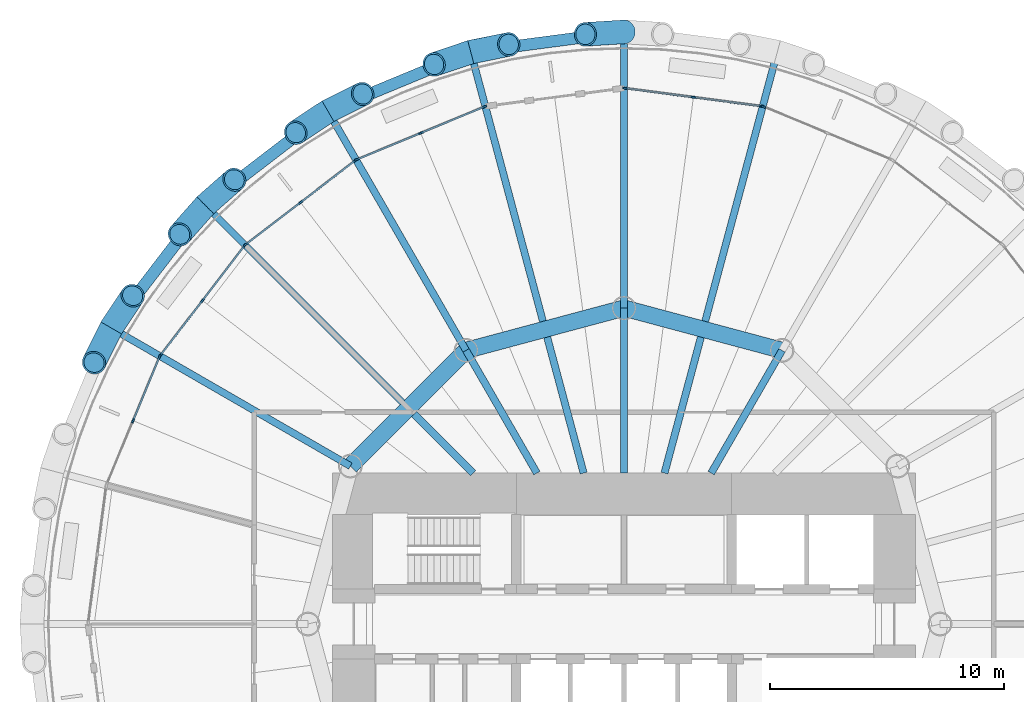
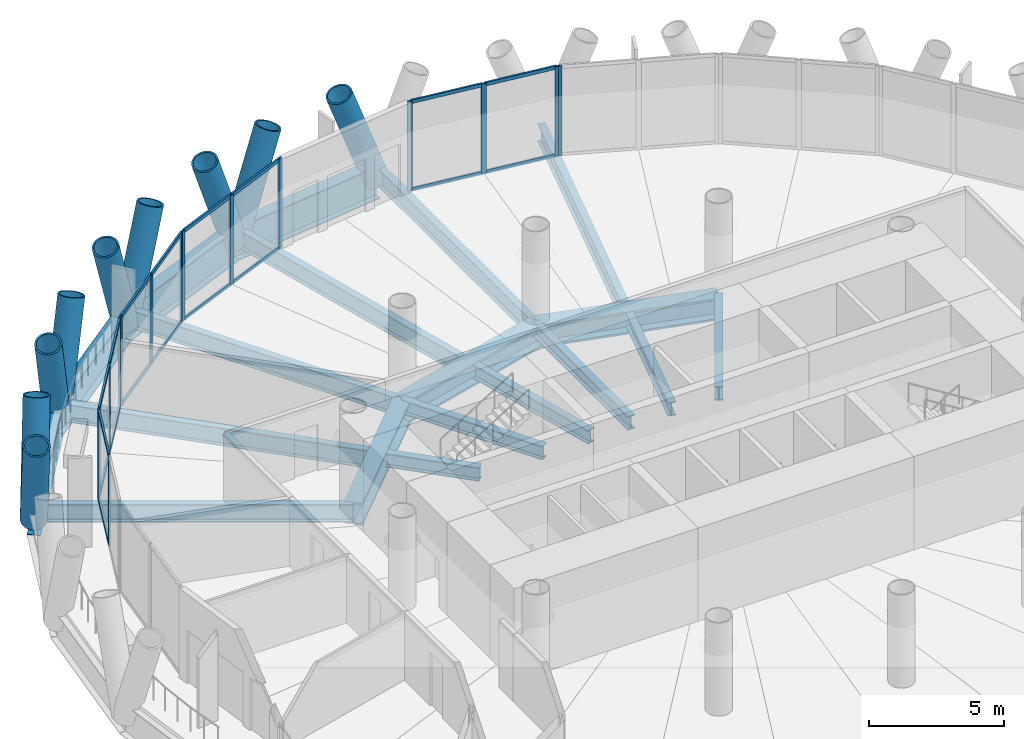
# One storey, part 6 of 15: 42 members, 19 beams, 6 elements without a shape of their own.
"""IFC4 building model written with IfcOpenShell, lengths in metres."""

import ifcopenshell
import ifcopenshell.guid

model = None  # the IFC model being written
_history = None  # IfcOwnerHistory: only IFC2X3 demands one
_inside = {}  # id of a spatial element -> (the spatial element, [elements in it])
_under = {}  # id of a project, library or spatial element -> (it, [spatial elements below it])
_declared = {}  # id of a project -> (the project, [libraries it declares])
_typed = {}  # id of a type object -> (the type object, [elements of that type])
_made_of = {}  # id of a material, layer set ... -> (it, [elements and type objects made of it])


def new_model(schema):
    """Start an empty IFC model of exactly this schema.

    Asked for "IFC4X3", IfcOpenShell would pick the latest addendum, in which some entities
    have other attributes; the version numbers below select the first issue.
    IFC2X3 requires an IfcOwnerHistory on every rooted entity: one is made here for all.
    """
    global model, _history
    if schema == "IFC4X3":
        model = ifcopenshell.file(schema_version=(4, 3, 0, 0))
    else:
        model = ifcopenshell.file(schema=schema)
    _inside.clear()
    _under.clear()
    _declared.clear()
    _typed.clear()
    _made_of.clear()
    _history = None
    if model.schema == "IFC2X3":
        org = make("IfcOrganization", Name="unknown")
        user = make(
            "IfcPersonAndOrganization",
            ThePerson=make("IfcPerson", FamilyName="unknown"),
            TheOrganization=org,
        )
        app = make(
            "IfcApplication",
            ApplicationDeveloper=org,
            Version="unknown",
            ApplicationFullName="unknown",
            ApplicationIdentifier="unknown",
        )
        _history = make(
            "IfcOwnerHistory",
            OwningUser=user,
            OwningApplication=app,
            ChangeAction="ADDED",
            CreationDate=0,
        )
    return model


def make(cls, **values):
    """One entity of the class cls with the attributes given. An attribute that is None is left unset."""
    return model.create_entity(
        cls, **{name: value for name, value in values.items() if value is not None}
    )


def rooted(cls, **values):
    """An entity with a GlobalId (a new one), such as an element, a storey or a relation."""
    return make(cls, GlobalId=ifcopenshell.guid.new(), OwnerHistory=_history, **values)


def si_unit(unit_type, name, prefix=None):
    """IfcSIUnit, for example si_unit("LENGTHUNIT", "METRE", prefix="MILLI")."""
    return make("IfcSIUnit", UnitType=unit_type, Prefix=prefix, Name=name)


def assignment(units):
    """IfcUnitAssignment: the units of a project."""
    return None if units is None else make("IfcUnitAssignment", Units=units)


def point(xyz):
    """IfcCartesianPoint."""
    return None if xyz is None else make("IfcCartesianPoint", Coordinates=xyz)


def direction(xyz):
    """IfcDirection."""
    return None if xyz is None else make("IfcDirection", DirectionRatios=xyz)


def frame(location, z_axis=None, x_axis=None):
    """IfcAxis2Placement3D, a coordinate frame: its origin and axes. An axis left out is left unset."""
    return make(
        "IfcAxis2Placement3D",
        Location=point(location),
        Axis=direction(z_axis),
        RefDirection=direction(x_axis),
    )


def frame_2d(location, x_axis=None):
    """IfcAxis2Placement2D, a coordinate frame in the plane: its origin and x axis."""
    return make(
        "IfcAxis2Placement2D", Location=point(location), RefDirection=direction(x_axis)
    )


def origin():
    """The frame at (0, 0, 0) with its axes left unset."""
    return frame((0.0, 0.0, 0.0))


def origin_2d():
    """The frame at (0, 0) in the plane with its x axis left unset."""
    return frame_2d((0.0, 0.0))


def place(relative_to, where):
    """IfcLocalPlacement: puts the frame where relative to a parent placement (None: the world)."""
    return make(
        "IfcLocalPlacement", PlacementRelTo=relative_to, RelativePlacement=where
    )


def context(
    kind, dimensions, precision=None, world=None, true_north=None, identifier=None
):
    """IfcGeometricRepresentationContext, for example the 3D "Model" context."""
    return make(
        "IfcGeometricRepresentationContext",
        ContextIdentifier=identifier,
        ContextType=kind,
        CoordinateSpaceDimension=dimensions,
        Precision=precision,
        WorldCoordinateSystem=world,
        TrueNorth=true_north,
    )


def subcontext(parent, identifier, kind, view, scale=None):
    """IfcGeometricRepresentationSubContext, for example "Body" below "Model"."""
    return make(
        "IfcGeometricRepresentationSubContext",
        ContextIdentifier=identifier,
        ContextType=kind,
        ParentContext=parent,
        TargetScale=scale,
        TargetView=view,
    )


def project(units=None, contexts=None):
    """IfcProject with its units and contexts."""
    return rooted(
        "IfcProject",
        Name="project",
        RepresentationContexts=contexts,
        UnitsInContext=assignment(units),
    )


def spatial(cls, under=None, at=None, **own):
    """A site, building, storey or space (cls), placed at a placement, below another one or the project."""
    s = rooted(cls, ObjectPlacement=at, **own)
    if under is not None:
        _under.setdefault(under.id(), (under, []))[1].append(s)
    return s


def profile(cls, at=None, kind="AREA", **sizes):
    """A parametric profile (cls). Its sizes go by their IFC names, for example OverallWidth=200.0."""
    return make(cls, ProfileType=kind, Position=at, **sizes)


def rectangle(**sizes):
    """IfcRectangleProfileDef."""
    return profile("IfcRectangleProfileDef", **sizes)


def hollow_circle(**sizes):
    """IfcCircleHollowProfileDef."""
    return profile("IfcCircleHollowProfileDef", **sizes)


def i_section(**sizes):
    """IfcIShapeProfileDef."""
    return profile("IfcIShapeProfileDef", **sizes)


def extrude(swept, where, along, depth):
    """IfcExtrudedAreaSolid: the profile swept, set in the frame where, extruded along a direction by depth."""
    return make(
        "IfcExtrudedAreaSolid",
        SweptArea=swept,
        Position=where,
        ExtrudedDirection=direction(along),
        Depth=depth,
    )


def shape(context_of_items, identifier, shape_type, items):
    """IfcShapeRepresentation: the items that make up one representation, for example the "Body"."""
    return make(
        "IfcShapeRepresentation",
        ContextOfItems=context_of_items,
        RepresentationIdentifier=identifier,
        RepresentationType=shape_type,
        Items=items,
    )


def material(Name=None, Category=None):
    """IfcMaterial."""
    return make("IfcMaterial", Name=Name, Category=Category)


def material_profile(
    of_material, cross_section, Name=None, Category=None, Priority=None
):
    """IfcMaterialProfile: a cross section and its material."""
    return make(
        "IfcMaterialProfile",
        Name=Name,
        Material=of_material,
        Profile=cross_section,
        Priority=Priority,
        Category=Category,
    )


def profile_set(profiles, Name=None, composite=None):
    """IfcMaterialProfileSet."""
    return make(
        "IfcMaterialProfileSet",
        Name=Name,
        MaterialProfiles=profiles,
        CompositeProfile=composite,
    )


def made_of(thing, what):
    """Note that an element or type object is made of a material, layer set ...; save() writes the relation."""
    if what is not None:
        _made_of.setdefault(what.id(), (what, []))[1].append(thing)
    return thing


def type_object(cls, material=None, **own):
    """A type object (cls), such as IfcWallType, which elements share."""
    return made_of(rooted(cls, **own), material)


def element(
    cls,
    number,
    at=None,
    inside=None,
    cuts=None,
    type_object=None,
    material=None,
    context=None,
    identifier="Body",
    shape_type=None,
    held_by="IfcProductDefinitionShape",
    body=None,
    shapes=None,
    **own,
):
    """One element of the class cls, such as IfcWall. Its Tag is "e" and its number.

    at: its placement. inside: the storey or other place that contains it. cuts: it is an
    opening in that element (IfcRelVoidsElement). A single representation is given by context,
    identifier, shape_type and body (its items); several are given by shapes. held_by: the class
    of the entity that holds the representations. save() writes the other relations.
    """
    e = rooted(cls, Tag="e%d" % number, ObjectPlacement=at, **own)
    if body is not None:
        shapes = [shape(context, identifier, shape_type, body)]
    if shapes is not None:
        e.Representation = make(held_by, Representations=shapes)
    if inside is not None:
        _inside.setdefault(inside.id(), (inside, []))[1].append(e)
    if cuts is not None:
        rooted(
            "IfcRelVoidsElement", RelatingBuildingElement=cuts, RelatedOpeningElement=e
        )
    if type_object is not None:
        _typed.setdefault(type_object.id(), (type_object, []))[1].append(e)
    return made_of(e, material)


def aggregate(whole, parts):
    """IfcRelAggregates: a whole, such as a stair, and the parts it consists of."""
    return rooted("IfcRelAggregates", RelatingObject=whole, RelatedObjects=parts)


def save(model, path):
    """Write the relations noted so far, then the file.

    IfcRelAggregates (storeys below a building ...), IfcRelContainedInSpatialStructure (elements
    in a storey), IfcRelDefinesByType, IfcRelAssociatesMaterial and IfcRelDeclares: one each for
    every whole, place, type object, material and project.
    """
    for whole, parts in _under.values():
        aggregate(whole, parts)
    for where, things in _inside.values():
        rooted(
            "IfcRelContainedInSpatialStructure",
            RelatedElements=things,
            RelatingStructure=where,
        )
    for kind, things in _typed.values():
        rooted("IfcRelDefinesByType", RelatedObjects=things, RelatingType=kind)
    for what, things in _made_of.values():
        rooted("IfcRelAssociatesMaterial", RelatedObjects=things, RelatingMaterial=what)
    for by, libraries in _declared.values():
        rooted("IfcRelDeclares", RelatingContext=by, RelatedDefinitions=libraries)
    model.write(path)


model = new_model("IFC4")

# Units and contexts
model_context = context("Model", 3, precision=1e-05, world=origin(), true_north=direction((0.0, 1.0)))
body_context = subcontext(model_context, "Body", "Model", "MODEL_VIEW")
ifc_project = project(units=[si_unit("LENGTHUNIT", "METRE"), si_unit("AREAUNIT", "SQUARE_METRE"), si_unit("VOLUMEUNIT", "CUBIC_METRE"), si_unit("PLANEANGLEUNIT", "RADIAN"), si_unit("MASSUNIT", "GRAM", prefix="KILO")], contexts=[model_context])

# Site, building, storey
site_placement = place(None, origin())
site = spatial("IfcSite", under=ifc_project, at=site_placement, CompositionType="ELEMENT")
building_placement = place(site_placement, origin())
building = spatial("IfcBuilding", under=site, at=building_placement, Name="Qaws Media Tower", CompositionType="ELEMENT")
storey_placement = place(building_placement, frame((0.0, 0.0, 110.0)))
storey = spatial("IfcBuildingStorey", under=building, at=storey_placement, Name="L24", CompositionType="ELEMENT", Elevation=110.0)

# Curtain wall, member
ifc_material_1 = material(Name="Aluminium and clear glass", Category="aluminium")
curtain_wall_type = type_object("IfcCurtainWallType", Name="Unitised curtain wall CW-B", PredefinedType="NOTDEFINED", material=ifc_material_1)
curtain_wall_1_placement = place(storey_placement, origin())
curtain_wall_1 = element("IfcCurtainWall", 1, at=curtain_wall_1_placement, inside=storey, type_object=curtain_wall_type, Name="CWB curtain wall L24-05", PredefinedType="NOTDEFINED")
ifc_material_2 = material(Name="Aluminium mullion", Category="aluminium")
ifc_material_profile_1 = material_profile(ifc_material_2, rectangle(XDim=0.080078125, YDim=0.199951171875, at=origin_2d()), Name="80x200")
ifc_profile_set_1 = profile_set([ifc_material_profile_1], Name="Aluminium mullion")
member_type_1 = type_object("IfcMemberType", Name="Curtain wall mullion 80x200", PredefinedType="MULLION", material=ifc_profile_set_1)
member_1_placement = place(storey_placement, frame((65.9638671875, 72.1044921875, 0.0), z_axis=(0.0, 0.0, 1.0), x_axis=(-0.382683328086, -0.923879575705, 0.0)))
member_1 = element("IfcMember", 2, at=member_1_placement, type_object=member_type_1, Name="CWB mullion 3", PredefinedType="MULLION", context=body_context, shape_type="SweptSolid", body=[
    extrude(rectangle(XDim=0.080078125, YDim=0.199951171875, at=origin_2d()), origin(), (0.0, 0.0, 1.0), 4.0400390625),
])
aggregate(curtain_wall_1, [member_1])

# Curtain wall, members
curtain_wall_2_placement = place(storey_placement, origin())
curtain_wall_2 = element("IfcCurtainWall", 3, at=curtain_wall_2_placement, inside=storey, type_object=curtain_wall_type, Name="CWB curtain wall L24-06", PredefinedType="NOTDEFINED")
member_2_placement = place(storey_placement, frame((65.88720703125, 72.125, 0.0), z_axis=(0.0, 0.0, 1.0), x_axis=(-0.130526264481, -0.99144485186, 0.0)))
member_2 = element("IfcMember", 4, at=member_2_placement, type_object=member_type_1, Name="CWB mullion 1", PredefinedType="MULLION", context=body_context, shape_type="SweptSolid", body=[
    extrude(rectangle(XDim=0.080078125, YDim=0.199951171875, at=origin_2d()), origin(), (0.0, 0.0, 1.0), 4.0400390625),
])
member_3_placement = place(storey_placement, frame((62.96337890625, 72.509765625, 0.0), z_axis=(0.0, 0.0, 1.0), x_axis=(-0.130526264481, -0.99144485186, 0.0)))
member_3 = element("IfcMember", 5, at=member_3_placement, type_object=member_type_1, Name="CWB mullion 2", PredefinedType="MULLION", context=body_context, shape_type="SweptSolid", body=[
    extrude(rectangle(XDim=0.080078125, YDim=0.199951171875, at=origin_2d()), origin(), (0.0, 0.0, 1.0), 4.0400390625),
])
member_4_placement = place(storey_placement, frame((60.03955078125, 72.894775390625, 0.0), z_axis=(0.0, 0.0, 1.0), x_axis=(-0.130526264481, -0.99144485186, 0.0)))
member_4 = element("IfcMember", 6, at=member_4_placement, type_object=member_type_1, Name="CWB mullion 3", PredefinedType="MULLION", context=body_context, shape_type="SweptSolid", body=[
    extrude(rectangle(XDim=0.080078125, YDim=0.199951171875, at=origin_2d()), origin(), (0.0, 0.0, 1.0), 4.0400390625),
])

curtain_wall_3_placement = place(storey_placement, origin())
curtain_wall_3 = element("IfcCurtainWall", 7, at=curtain_wall_3_placement, inside=storey, type_object=curtain_wall_type, Name="CWB curtain wall L24-08", PredefinedType="NOTDEFINED")
member_5_placement = place(storey_placement, frame((54.0361328125, 72.1044921875, 0.0), z_axis=(0.0, 0.0, 1.0), x_axis=(0.382683328086, -0.923879575705, 0.0)))
member_5 = element("IfcMember", 8, at=member_5_placement, type_object=member_type_1, Name="CWB mullion 1", PredefinedType="MULLION", context=body_context, shape_type="SweptSolid", body=[
    extrude(rectangle(XDim=0.080078125, YDim=0.199951171875, at=origin_2d()), origin(), (0.0, 0.0, 1.0), 4.0400390625),
])
member_6_placement = place(storey_placement, frame((51.3115234375, 70.975830078125, 0.0), z_axis=(0.0, 0.0, 1.0), x_axis=(0.382683328086, -0.923879575705, 0.0)))
member_6 = element("IfcMember", 9, at=member_6_placement, type_object=member_type_1, Name="CWB mullion 2", PredefinedType="MULLION", context=body_context, shape_type="SweptSolid", body=[
    extrude(rectangle(XDim=0.080078125, YDim=0.199951171875, at=origin_2d()), origin(), (0.0, 0.0, 1.0), 4.0400390625),
])
member_7_placement = place(storey_placement, frame((48.5869140625, 69.84716796875, 0.0), z_axis=(0.0, 0.0, 1.0), x_axis=(0.382683328086, -0.923879575705, 0.0)))
member_7 = element("IfcMember", 10, at=member_7_placement, type_object=member_type_1, Name="CWB mullion 3", PredefinedType="MULLION", context=body_context, shape_type="SweptSolid", body=[
    extrude(rectangle(XDim=0.080078125, YDim=0.199951171875, at=origin_2d()), origin(), (0.0, 0.0, 1.0), 4.0400390625),
])

curtain_wall_4_placement = place(storey_placement, origin())
curtain_wall_4 = element("IfcCurtainWall", 11, at=curtain_wall_4_placement, inside=storey, type_object=curtain_wall_type, Name="CWB curtain wall L24-09", PredefinedType="NOTDEFINED")
member_8_placement = place(storey_placement, frame((48.518310546875, 69.8076171875, 0.0), z_axis=(0.0, 0.0, 1.0), x_axis=(0.608761509485, -0.793353278539, 0.0)))
member_8 = element("IfcMember", 12, at=member_8_placement, type_object=member_type_1, Name="CWB mullion 1", PredefinedType="MULLION", context=body_context, shape_type="SweptSolid", body=[
    extrude(rectangle(XDim=0.080078125, YDim=0.199951171875, at=origin_2d()), origin(), (0.0, 0.0, 1.0), 4.0400390625),
])
member_9_placement = place(storey_placement, frame((46.1787109375, 68.012451171875, 0.0), z_axis=(0.0, 0.0, 1.0), x_axis=(0.608761509485, -0.793353278539, 0.0)))
member_9 = element("IfcMember", 13, at=member_9_placement, type_object=member_type_1, Name="CWB mullion 2", PredefinedType="MULLION", context=body_context, shape_type="SweptSolid", body=[
    extrude(rectangle(XDim=0.080078125, YDim=0.199951171875, at=origin_2d()), origin(), (0.0, 0.0, 1.0), 4.0400390625),
])
member_10_placement = place(storey_placement, frame((43.8388671875, 66.217041015625, 0.0), z_axis=(0.0, 0.0, 1.0), x_axis=(0.608761509485, -0.793353278539, 0.0)))
member_10 = element("IfcMember", 14, at=member_10_placement, type_object=member_type_1, Name="CWB mullion 3", PredefinedType="MULLION", context=body_context, shape_type="SweptSolid", body=[
    extrude(rectangle(XDim=0.080078125, YDim=0.199951171875, at=origin_2d()), origin(), (0.0, 0.0, 1.0), 4.0400390625),
])

curtain_wall_5_placement = place(storey_placement, origin())
curtain_wall_5 = element("IfcCurtainWall", 15, at=curtain_wall_5_placement, inside=storey, type_object=curtain_wall_type, Name="CWB curtain wall L24-10", PredefinedType="NOTDEFINED")
member_11_placement = place(storey_placement, frame((43.782958984375, 66.1611328125, 0.0), z_axis=(0.0, 0.0, 1.0), x_axis=(0.793353278539, -0.608761509485, 0.0)))
member_11 = element("IfcMember", 16, at=member_11_placement, type_object=member_type_1, Name="CWB mullion 1", PredefinedType="MULLION", context=body_context, shape_type="SweptSolid", body=[
    extrude(rectangle(XDim=0.080078125, YDim=0.199951171875, at=origin_2d()), origin(), (0.0, 0.0, 1.0), 4.0400390625),
])
member_12_placement = place(storey_placement, frame((41.987548828125, 63.8212890625, 0.0), z_axis=(0.0, 0.0, 1.0), x_axis=(0.793353278539, -0.608761509485, 0.0)))
member_12 = element("IfcMember", 17, at=member_12_placement, type_object=member_type_1, Name="CWB mullion 2", PredefinedType="MULLION", context=body_context, shape_type="SweptSolid", body=[
    extrude(rectangle(XDim=0.080078125, YDim=0.199951171875, at=origin_2d()), origin(), (0.0, 0.0, 1.0), 4.0400390625),
])
member_13_placement = place(storey_placement, frame((40.1923828125, 61.481689453125, 0.0), z_axis=(0.0, 0.0, 1.0), x_axis=(0.793353278539, -0.608761509485, 0.0)))
member_13 = element("IfcMember", 18, at=member_13_placement, type_object=member_type_1, Name="CWB mullion 3", PredefinedType="MULLION", context=body_context, shape_type="SweptSolid", body=[
    extrude(rectangle(XDim=0.080078125, YDim=0.199951171875, at=origin_2d()), origin(), (0.0, 0.0, 1.0), 4.0400390625),
])

curtain_wall_6_placement = place(storey_placement, origin())
curtain_wall_6 = element("IfcCurtainWall", 19, at=curtain_wall_6_placement, inside=storey, type_object=curtain_wall_type, Name="CWB curtain wall L24-11", PredefinedType="NOTDEFINED")
member_14_placement = place(storey_placement, frame((40.15283203125, 61.4130859375, 0.0), z_axis=(0.0, 0.0, 1.0), x_axis=(0.923879575705, -0.382683328086, 0.0)))
member_14 = element("IfcMember", 20, at=member_14_placement, type_object=member_type_1, Name="CWB mullion 1", PredefinedType="MULLION", context=body_context, shape_type="SweptSolid", body=[
    extrude(rectangle(XDim=0.080078125, YDim=0.199951171875, at=origin_2d()), origin(), (0.0, 0.0, 1.0), 4.0400390625),
])
member_15_placement = place(storey_placement, frame((39.024169921875, 58.6884765625, 0.0), z_axis=(0.0, 0.0, 1.0), x_axis=(0.923879575705, -0.382683328086, 0.0)))
member_15 = element("IfcMember", 21, at=member_15_placement, type_object=member_type_1, Name="CWB mullion 2", PredefinedType="MULLION", context=body_context, shape_type="SweptSolid", body=[
    extrude(rectangle(XDim=0.080078125, YDim=0.199951171875, at=origin_2d()), origin(), (0.0, 0.0, 1.0), 4.0400390625),
])

# Member
ifc_material_3 = material(Name="Aluminium transom", Category="aluminium")
ifc_material_profile_2 = material_profile(ifc_material_3, rectangle(XDim=0.080078125, YDim=0.159912109375, at=origin_2d()), Name="80x160")
ifc_profile_set_2 = profile_set([ifc_material_profile_2], Name="Aluminium transom")
member_type_2 = type_object("IfcMemberType", Name="Curtain wall transom 80x160", PredefinedType="USERDEFINED", material=ifc_profile_set_2)
member_16_placement = place(storey_placement, frame((65.84765625, 72.130126953125, 0.0400390625), z_axis=(-0.991443575654, 0.130535957862, 0.0), x_axis=(-0.130535957862, -0.991443575654, 0.0)))
member_16 = element("IfcMember", 22, at=member_16_placement, type_object=member_type_2, Name="CWB transom 1.1", ObjectType="TRANSOM", PredefinedType="USERDEFINED", context=body_context, shape_type="SweptSolid", body=[
    extrude(rectangle(XDim=0.080078125, YDim=0.159912109375, at=origin_2d()), origin(), (0.0, 0.0, 1.0), 2.869140625),
])

member_17_placement = place(storey_placement, frame((65.84765625, 72.130126953125, 4.0), z_axis=(-0.991443575654, 0.130535957862, 0.0), x_axis=(-0.130535957862, -0.991443575654, 0.0)))
member_17 = element("IfcMember", 23, at=member_17_placement, type_object=member_type_2, Name="CWB transom 1.2", ObjectType="TRANSOM", PredefinedType="USERDEFINED", context=body_context, shape_type="SweptSolid", body=[
    extrude(rectangle(XDim=0.080078125, YDim=0.159912109375, at=origin_2d()), origin(), (0.0, 0.0, 1.0), 2.869140625),
])

member_18_placement = place(storey_placement, frame((62.923828125, 72.51513671875, 0.0400390625), z_axis=(-0.991443575654, 0.130535957862, 0.0), x_axis=(-0.130535957862, -0.991443575654, 0.0)))
member_18 = element("IfcMember", 24, at=member_18_placement, type_object=member_type_2, Name="CWB transom 2.1", ObjectType="TRANSOM", PredefinedType="USERDEFINED", context=body_context, shape_type="SweptSolid", body=[
    extrude(rectangle(XDim=0.080078125, YDim=0.159912109375, at=origin_2d()), origin(), (0.0, 0.0, 1.0), 2.869140625),
])

member_19_placement = place(storey_placement, frame((62.923828125, 72.51513671875, 4.0), z_axis=(-0.991443575654, 0.130535957862, 0.0), x_axis=(-0.130535957862, -0.991443575654, 0.0)))
member_19 = element("IfcMember", 25, at=member_19_placement, type_object=member_type_2, Name="CWB transom 2.2", ObjectType="TRANSOM", PredefinedType="USERDEFINED", context=body_context, shape_type="SweptSolid", body=[
    extrude(rectangle(XDim=0.080078125, YDim=0.159912109375, at=origin_2d()), origin(), (0.0, 0.0, 1.0), 2.869140625),
])

aggregate(curtain_wall_2, [member_2, member_3, member_4, member_16, member_17, member_18, member_19])

member_20_placement = place(storey_placement, frame((53.9990234375, 72.089111328125, 0.0400390625), z_axis=(-0.923883041886, -0.382674959875, 0.0), x_axis=(0.382674959875, -0.923883041886, 0.0)))
member_20 = element("IfcMember", 26, at=member_20_placement, type_object=member_type_2, Name="CWB transom 1.1", ObjectType="TRANSOM", PredefinedType="USERDEFINED", context=body_context, shape_type="SweptSolid", body=[
    extrude(rectangle(XDim=0.080078125, YDim=0.159912109375, at=origin_2d()), origin(), (0.0, 0.0, 1.0), 2.868896484375),
])

member_21_placement = place(storey_placement, frame((53.9990234375, 72.089111328125, 4.0), z_axis=(-0.923883041886, -0.382674959875, 0.0), x_axis=(0.382674959875, -0.923883041886, 0.0)))
member_21 = element("IfcMember", 27, at=member_21_placement, type_object=member_type_2, Name="CWB transom 1.2", ObjectType="TRANSOM", PredefinedType="USERDEFINED", context=body_context, shape_type="SweptSolid", body=[
    extrude(rectangle(XDim=0.080078125, YDim=0.159912109375, at=origin_2d()), origin(), (0.0, 0.0, 1.0), 2.868896484375),
])

member_22_placement = place(storey_placement, frame((51.274658203125, 70.96044921875, 0.0400390625), z_axis=(-0.923883041886, -0.382674959875, 0.0), x_axis=(0.382674959875, -0.923883041886, 0.0)))
member_22 = element("IfcMember", 28, at=member_22_placement, type_object=member_type_2, Name="CWB transom 2.1", ObjectType="TRANSOM", PredefinedType="USERDEFINED", context=body_context, shape_type="SweptSolid", body=[
    extrude(rectangle(XDim=0.080078125, YDim=0.159912109375, at=origin_2d()), origin(), (0.0, 0.0, 1.0), 2.868896484375),
])

member_23_placement = place(storey_placement, frame((51.274658203125, 70.96044921875, 4.0), z_axis=(-0.923883041886, -0.382674959875, 0.0), x_axis=(0.382674959875, -0.923883041886, 0.0)))
member_23 = element("IfcMember", 29, at=member_23_placement, type_object=member_type_2, Name="CWB transom 2.2", ObjectType="TRANSOM", PredefinedType="USERDEFINED", context=body_context, shape_type="SweptSolid", body=[
    extrude(rectangle(XDim=0.080078125, YDim=0.159912109375, at=origin_2d()), origin(), (0.0, 0.0, 1.0), 2.868896484375),
])

aggregate(curtain_wall_3, [member_5, member_6, member_7, member_20, member_21, member_22, member_23])

member_24_placement = place(storey_placement, frame((48.486572265625, 69.783203125, 0.0400390625), z_axis=(-0.793344689462, -0.608772702822, 0.0), x_axis=(0.608772702822, -0.793344689462, 0.0)))
member_24 = element("IfcMember", 30, at=member_24_placement, type_object=member_type_2, Name="CWB transom 1.1", ObjectType="TRANSOM", PredefinedType="USERDEFINED", context=body_context, shape_type="SweptSolid", body=[
    extrude(rectangle(XDim=0.080078125, YDim=0.159912109375, at=origin_2d()), origin(), (0.0, 0.0, 1.0), 2.869140625),
])

member_25_placement = place(storey_placement, frame((48.486572265625, 69.783203125, 4.0), z_axis=(-0.793344689462, -0.608772702822, 0.0), x_axis=(0.608772702822, -0.793344689462, 0.0)))
member_25 = element("IfcMember", 31, at=member_25_placement, type_object=member_type_2, Name="CWB transom 1.2", ObjectType="TRANSOM", PredefinedType="USERDEFINED", context=body_context, shape_type="SweptSolid", body=[
    extrude(rectangle(XDim=0.080078125, YDim=0.159912109375, at=origin_2d()), origin(), (0.0, 0.0, 1.0), 2.869140625),
])

member_26_placement = place(storey_placement, frame((46.14697265625, 67.988037109375, 0.0400390625), z_axis=(-0.793376222993, -0.608731606531, 0.0), x_axis=(0.608731606531, -0.793376222993, 0.0)))
member_26 = element("IfcMember", 32, at=member_26_placement, type_object=member_type_2, Name="CWB transom 2.1", ObjectType="TRANSOM", PredefinedType="USERDEFINED", context=body_context, shape_type="SweptSolid", body=[
    extrude(rectangle(XDim=0.080078125, YDim=0.159912109375, at=origin_2d()), origin(), (0.0, 0.0, 1.0), 2.869140625),
])

member_27_placement = place(storey_placement, frame((46.14697265625, 67.988037109375, 4.0), z_axis=(-0.793376222993, -0.608731606531, 0.0), x_axis=(0.608731606531, -0.793376222993, 0.0)))
member_27 = element("IfcMember", 33, at=member_27_placement, type_object=member_type_2, Name="CWB transom 2.2", ObjectType="TRANSOM", PredefinedType="USERDEFINED", context=body_context, shape_type="SweptSolid", body=[
    extrude(rectangle(XDim=0.080078125, YDim=0.159912109375, at=origin_2d()), origin(), (0.0, 0.0, 1.0), 2.869140625),
])

aggregate(curtain_wall_4, [member_8, member_9, member_10, member_24, member_25, member_26, member_27])

member_28_placement = place(storey_placement, frame((43.758544921875, 66.12939453125, 0.0400390625), z_axis=(-0.608731606531, -0.793376222993, 0.0), x_axis=(0.793376222993, -0.608731606531, 0.0)))
member_28 = element("IfcMember", 34, at=member_28_placement, type_object=member_type_2, Name="CWB transom 1.1", ObjectType="TRANSOM", PredefinedType="USERDEFINED", context=body_context, shape_type="SweptSolid", body=[
    extrude(rectangle(XDim=0.080078125, YDim=0.159912109375, at=origin_2d()), origin(), (0.0, 0.0, 1.0), 2.869140625),
])

member_29_placement = place(storey_placement, frame((43.758544921875, 66.12939453125, 4.0), z_axis=(-0.608731606531, -0.793376222993, 0.0), x_axis=(0.793376222993, -0.608731606531, 0.0)))
member_29 = element("IfcMember", 35, at=member_29_placement, type_object=member_type_2, Name="CWB transom 1.2", ObjectType="TRANSOM", PredefinedType="USERDEFINED", context=body_context, shape_type="SweptSolid", body=[
    extrude(rectangle(XDim=0.080078125, YDim=0.159912109375, at=origin_2d()), origin(), (0.0, 0.0, 1.0), 2.869140625),
])

member_30_placement = place(storey_placement, frame((41.96337890625, 63.78955078125, 0.0400390625), z_axis=(-0.608772702822, -0.793344689462, 0.0), x_axis=(0.793344689462, -0.608772702822, 0.0)))
member_30 = element("IfcMember", 36, at=member_30_placement, type_object=member_type_2, Name="CWB transom 2.1", ObjectType="TRANSOM", PredefinedType="USERDEFINED", context=body_context, shape_type="SweptSolid", body=[
    extrude(rectangle(XDim=0.080078125, YDim=0.159912109375, at=origin_2d()), origin(), (0.0, 0.0, 1.0), 2.869140625),
])

member_31_placement = place(storey_placement, frame((41.96337890625, 63.78955078125, 4.0), z_axis=(-0.608772702822, -0.793344689462, 0.0), x_axis=(0.793344689462, -0.608772702822, 0.0)))
member_31 = element("IfcMember", 37, at=member_31_placement, type_object=member_type_2, Name="CWB transom 2.2", ObjectType="TRANSOM", PredefinedType="USERDEFINED", context=body_context, shape_type="SweptSolid", body=[
    extrude(rectangle(XDim=0.080078125, YDim=0.159912109375, at=origin_2d()), origin(), (0.0, 0.0, 1.0), 2.869140625),
])

aggregate(curtain_wall_5, [member_11, member_12, member_13, member_28, member_29, member_30, member_31])

member_32_placement = place(storey_placement, frame((40.137451171875, 61.3759765625, 0.0400390625), z_axis=(-0.382674959875, -0.923883041886, 0.0), x_axis=(0.923883041886, -0.382674959875, 0.0)))
member_32 = element("IfcMember", 38, at=member_32_placement, type_object=member_type_2, Name="CWB transom 1.1", ObjectType="TRANSOM", PredefinedType="USERDEFINED", context=body_context, shape_type="SweptSolid", body=[
    extrude(rectangle(XDim=0.080078125, YDim=0.159912109375, at=origin_2d()), origin(), (0.0, 0.0, 1.0), 2.868896484375),
])

member_33_placement = place(storey_placement, frame((40.137451171875, 61.3759765625, 4.0), z_axis=(-0.382674959875, -0.923883041886, 0.0), x_axis=(0.923883041886, -0.382674959875, 0.0)))
member_33 = element("IfcMember", 39, at=member_33_placement, type_object=member_type_2, Name="CWB transom 1.2", ObjectType="TRANSOM", PredefinedType="USERDEFINED", context=body_context, shape_type="SweptSolid", body=[
    extrude(rectangle(XDim=0.080078125, YDim=0.159912109375, at=origin_2d()), origin(), (0.0, 0.0, 1.0), 2.868896484375),
])

aggregate(curtain_wall_6, [member_14, member_15, member_32, member_33])

# Members
ifc_material_4 = material(Name="Steel S460", Category="steel")
ifc_material_profile_3 = material_profile(ifc_material_4, hollow_circle(Radius=0.508056640625, WallThickness=0.070068359375, at=origin_2d()), Name="CHS 1016x70")
ifc_profile_set_3 = profile_set([ifc_material_profile_3], Name="Steel S460")
member_type_3 = type_object("IfcMemberType", Name="Diagrid member CHS 1016x70", PredefinedType="USERDEFINED", material=ifc_profile_set_3)
member_34_placement = place(storey_placement, frame((60.0, 75.300048828125, -0.909912109375), z_axis=(-0.348115757593, -0.021924499222, 0.93719514278), x_axis=(0.062855947931, -0.998022609869, 0.0)))
element("IfcMember", 40, at=member_34_placement, inside=storey, type_object=member_type_3, Name="DG3 diagrid L24 A07", ObjectType="DIAGRID", PredefinedType="USERDEFINED", context=body_context, shape_type="SweptSolid", body=[
    extrude(hollow_circle(Radius=0.508056640625, WallThickness=0.070068359375, at=origin_2d()), origin(), (0.0, 0.0, 1.0), 4.74365234375),
])
member_35_placement = place(storey_placement, frame((53.451904296875, 74.43798828125, -0.909912109375), z_axis=(-0.330611563198, -0.111318930759, 0.937178792939), x_axis=(0.319103108477, -0.947720004094, 0.0)))
element("IfcMember", 41, at=member_35_placement, inside=storey, type_object=member_type_3, Name="DG3 diagrid L24 A08", ObjectType="DIAGRID", PredefinedType="USERDEFINED", context=body_context, shape_type="SweptSolid", body=[
    extrude(hollow_circle(Radius=0.508056640625, WallThickness=0.070068359375, at=origin_2d()), origin(), (0.0, 0.0, 1.0), 4.743896484375),
])
for number, where, z_axis, x_axis, name in (
    (42, (53.451904296875, 74.43798828125, -0.909912109375), (0.341938716978, 0.068912694466, 0.937192058424), (-0.197562999339, 0.980290192388, 0.0), "DG3 diagrid L24 B08"),
    (43, (47.35009765625, 71.910400390625, -0.909912109375), (-0.290524249556, -0.193048088589, 0.937191600428), (0.553439756598, -0.832889209809, 0.0), "DG3 diagrid L24 A09"),
    (44, (47.35009765625, 71.910400390625, -0.909912109375), (0.312449003566, 0.155066520795, 0.937192613233), (-0.4445557978, 0.895751161117, 0.0), "DG3 diagrid L24 B09"),
    (45, (42.110107421875, 67.889892578125, -0.909912109375), (-0.230617926796, -0.261703226457, 0.937190905367), (0.750259666339, -0.661143277259, 0.0), "DG3 diagrid L24 A10"),
    (46, (42.110107421875, 67.889892578125, -0.909912109375), (0.261703226457, 0.230617926796, 0.937190905367), (-0.661143277259, 0.750259666339, 0.0), "DG3 diagrid L24 B10"),
    (47, (38.089599609375, 62.64990234375, -0.909912109375), (-0.155066520795, -0.312449003566, 0.937192613233), (0.895751161117, -0.4445557978, 0.0), "DG3 diagrid L24 A11"),
    (48, (38.089599609375, 62.64990234375, -0.909912109375), (0.193048088589, 0.290524249556, 0.937191600428), (-0.832889209809, 0.553439756598, 0.0), "DG3 diagrid L24 B11"),
):
    element("IfcMember", number, at=place(storey_placement, frame(where, z_axis=z_axis, x_axis=x_axis)), inside=storey, type_object=member_type_3, Name=name, ObjectType="DIAGRID", PredefinedType="USERDEFINED", context=body_context, shape_type="SweptSolid", body=[
        extrude(hollow_circle(Radius=0.508056640625, WallThickness=0.070068359375, at=origin_2d()), origin(), (0.0, 0.0, 1.0), 4.74365234375),
    ])

# Beams
ifc_material_5 = material(Name="Steel S460", Category="steel")
ifc_material_profile_4 = material_profile(ifc_material_5, i_section(OverallWidth=0.5, OverallDepth=1.5, WebThickness=0.02001953125, FlangeThickness=0.0400390625, at=origin_2d()), Name="PG 1500x500")
ifc_profile_set_4 = profile_set([ifc_material_profile_4], Name="Steel S460")
beam_type_1 = type_object("IfcBeamType", Name="Edge ring beam PG 1500x500", PredefinedType="BEAM", material=ifc_profile_set_4)
for number, where, z_axis, x_axis, name in (
    (49, (60.0, 75.300048828125, -0.909912109375), (-0.991445108389, -0.130524315936, 0.0), (0.130524315936, -0.991445108389, 0.0), "RB4 edge ring beam L24-07"),
    (50, (53.451904296875, 74.43798828125, -0.909912109375), (-0.923872207905, -0.38270111505, 0.0), (0.38270111505, -0.923872207905, 0.0), "RB4 edge ring beam L24-08"),
):
    element("IfcBeam", number, at=place(storey_placement, frame(where, z_axis=z_axis, x_axis=x_axis)), inside=storey, type_object=beam_type_1, Name=name, PredefinedType="BEAM", context=body_context, shape_type="SweptSolid", body=[
        extrude(i_section(OverallWidth=0.5, OverallDepth=1.5, WebThickness=0.02001953125, FlangeThickness=0.0400390625, at=origin_2d()), origin(), (0.0, 0.0, 1.0), 6.6044921875),
    ])
for number, where, z_axis, x_axis, name in (
    (51, (47.35009765625, 71.910400390625, -0.909912109375), (-0.793373676497, -0.608734925432, 0.0), (0.608734925432, -0.793373676497, 0.0), "RB4 edge ring beam L24-09"),
    (52, (42.110107421875, 67.889892578125, -0.909912109375), (-0.608734925432, -0.793373676497, 0.0), (0.793373676497, -0.608734925432, 0.0), "RB4 edge ring beam L24-10"),
):
    element("IfcBeam", number, at=place(storey_placement, frame(where, z_axis=z_axis, x_axis=x_axis)), inside=storey, type_object=beam_type_1, Name=name, PredefinedType="BEAM", context=body_context, shape_type="SweptSolid", body=[
        extrude(i_section(OverallWidth=0.5, OverallDepth=1.5, WebThickness=0.02001953125, FlangeThickness=0.0400390625, at=origin_2d()), origin(), (0.0, 0.0, 1.0), 6.604736328125),
    ])
ifc_material_6 = material(Name="Steel S460", Category="steel")
ifc_material_profile_5 = material_profile(ifc_material_6, i_section(OverallWidth=0.699951171875, OverallDepth=1.0, WebThickness=0.034912109375, FlangeThickness=0.090087890625, at=origin_2d()), Name="PG 1000x700")
ifc_profile_set_5 = profile_set([ifc_material_profile_5], Name="Steel S460")
beam_type_2 = type_object("IfcBeamType", Name="Inner ring girder PG 1000x700", PredefinedType="BEAM", material=ifc_profile_set_5)
for number, where, z_axis, x_axis, name in (
    (53, (66.75, 61.69140625, -0.659912109375), (-0.965928090778, 0.258810593767, 0.0), (-0.258810593767, -0.965928090778, 0.0), "B3 inner ring beam L24 I03-I04"),
    (54, (60.0, 63.5, -0.659912109375), (-0.965928090778, -0.258810593767, 0.0), (0.258810593767, -0.965928090778, 0.0), "B3 inner ring beam L24 I04-I05"),
):
    element("IfcBeam", number, at=place(storey_placement, frame(where, z_axis=z_axis, x_axis=x_axis)), inside=storey, type_object=beam_type_2, Name=name, PredefinedType="BEAM", context=body_context, shape_type="SweptSolid", body=[
        extrude(i_section(OverallWidth=0.699951171875, OverallDepth=1.0, WebThickness=0.034912109375, FlangeThickness=0.090087890625, at=origin_2d()), origin(), (0.0, 0.0, 1.0), 6.988037109375),
    ])
beam_1_placement = place(storey_placement, frame((53.25, 61.69140625, -0.659912109375), z_axis=(-0.707106781187, -0.707106781187, 0.0), x_axis=(0.707106781187, -0.707106781187, 0.0)))
element("IfcBeam", 55, at=beam_1_placement, inside=storey, type_object=beam_type_2, Name="B3 inner ring beam L24 I05-I06", PredefinedType="BEAM", context=body_context, shape_type="SweptSolid", body=[
    extrude(i_section(OverallWidth=0.699951171875, OverallDepth=1.0, WebThickness=0.034912109375, FlangeThickness=0.090087890625, at=origin_2d()), origin(), (0.0, 0.0, 1.0), 6.98828125),
])
ifc_material_7 = material(Name="Steel S355", Category="steel")
ifc_material_profile_6 = material_profile(ifc_material_7, i_section(OverallWidth=0.304931640625, OverallDepth=0.6201171875, WebThickness=0.02099609375, FlangeThickness=0.0400390625, FilletRadius=0.027099609375, at=origin_2d()), Name="HE 600 M")
ifc_profile_set_6 = profile_set([ifc_material_profile_6], Name="Steel S355")
beam_type_3 = type_object("IfcBeamType", Name="Radial beam HE 600 M, core side", PredefinedType="BEAM", material=ifc_profile_set_6)
beam_2_placement = place(storey_placement, frame((63.723876953125, 56.449951171875, -0.469970703125), z_axis=(0.499995978368, 0.866027725662, 0.0), x_axis=(-0.866027725662, 0.499995978368, 0.0)))
element("IfcBeam", 56, at=beam_2_placement, inside=storey, type_object=beam_type_3, Name="B2 radial beam L24 05", PredefinedType="BEAM", context=body_context, shape_type="SweptSolid", body=[
    extrude(i_section(OverallWidth=0.304931640625, OverallDepth=0.6201171875, WebThickness=0.02099609375, FlangeThickness=0.0400390625, FilletRadius=0.027099609375, at=origin_2d()), origin(), (0.0, 0.0, 1.0), 6.05224609375),
])
beam_3_placement = place(storey_placement, frame((61.728271484375, 56.449951171875, -0.469970703125), z_axis=(0.258819977482, 0.965925576458, 0.0), x_axis=(-0.965925576458, 0.258819977482, 0.0)))
element("IfcBeam", 57, at=beam_3_placement, inside=storey, type_object=beam_type_3, Name="B2 radial beam L24 06", PredefinedType="BEAM", context=body_context, shape_type="SweptSolid", body=[
    extrude(i_section(OverallWidth=0.304931640625, OverallDepth=0.6201171875, WebThickness=0.02099609375, FlangeThickness=0.0400390625, FilletRadius=0.027099609375, at=origin_2d()), origin(), (0.0, 0.0, 1.0), 6.012451171875),
])
beam_4_placement = place(storey_placement, frame((60.0, 56.449951171875, -0.469970703125), z_axis=(0.0, 1.0, 0.0), x_axis=(-1.0, 0.0, 0.0)))
element("IfcBeam", 58, at=beam_4_placement, inside=storey, type_object=beam_type_3, Name="B2 radial beam L24 07", PredefinedType="BEAM", context=body_context, shape_type="SweptSolid", body=[
    extrude(i_section(OverallWidth=0.304931640625, OverallDepth=0.6201171875, WebThickness=0.02099609375, FlangeThickness=0.0400390625, FilletRadius=0.027099609375, at=origin_2d()), origin(), (0.0, 0.0, 1.0), 7.050048828125),
])
beam_5_placement = place(storey_placement, frame((58.271728515625, 56.449951171875, -0.469970703125), z_axis=(-0.258819977482, 0.965925576458, 0.0), x_axis=(-0.965925576458, -0.258819977482, 0.0)))
element("IfcBeam", 59, at=beam_5_placement, inside=storey, type_object=beam_type_3, Name="B2 radial beam L24 08", PredefinedType="BEAM", context=body_context, shape_type="SweptSolid", body=[
    extrude(i_section(OverallWidth=0.304931640625, OverallDepth=0.6201171875, WebThickness=0.02099609375, FlangeThickness=0.0400390625, FilletRadius=0.027099609375, at=origin_2d()), origin(), (0.0, 0.0, 1.0), 6.012451171875),
])
beam_6_placement = place(storey_placement, frame((56.276123046875, 56.449951171875, -0.469970703125), z_axis=(-0.499995978368, 0.866027725662, 0.0), x_axis=(-0.866027725662, -0.499995978368, 0.0)))
element("IfcBeam", 60, at=beam_6_placement, inside=storey, type_object=beam_type_3, Name="B2 radial beam L24 09", PredefinedType="BEAM", context=body_context, shape_type="SweptSolid", body=[
    extrude(i_section(OverallWidth=0.304931640625, OverallDepth=0.6201171875, WebThickness=0.02099609375, FlangeThickness=0.0400390625, FilletRadius=0.027099609375, at=origin_2d()), origin(), (0.0, 0.0, 1.0), 6.05224609375),
])
beam_7_placement = place(storey_placement, frame((53.550048828125, 56.449951171875, -0.469970703125), z_axis=(-0.707106781187, 0.707106781187, 0.0), x_axis=(-0.707106781187, -0.707106781187, 0.0)))
element("IfcBeam", 61, at=beam_7_placement, inside=storey, type_object=beam_type_3, Name="B2 radial beam L24 10", PredefinedType="BEAM", context=body_context, shape_type="SweptSolid", body=[
    extrude(i_section(OverallWidth=0.304931640625, OverallDepth=0.6201171875, WebThickness=0.02099609375, FlangeThickness=0.0400390625, FilletRadius=0.027099609375, at=origin_2d()), origin(), (0.0, 0.0, 1.0), 3.568359375),
])
ifc_material_8 = material(Name="Steel S355", Category="steel")
ifc_material_profile_7 = material_profile(ifc_material_8, i_section(OverallWidth=0.300048828125, OverallDepth=0.800048828125, WebThickness=0.017578125, FlangeThickness=0.032958984375, FilletRadius=0.030029296875, at=origin_2d()), Name="HE 800 B")
ifc_profile_set_7 = profile_set([ifc_material_profile_7], Name="Steel S355")
beam_type_4 = type_object("IfcBeamType", Name="Radial beam HE 800 B", PredefinedType="BEAM", material=ifc_profile_set_7)
beam_8_placement = place(storey_placement, frame((63.465576171875, 62.933837890625, -0.56005859375), z_axis=(0.258818396808, 0.965925999999, 0.0), x_axis=(-0.965925999999, 0.258818396808, 0.0)))
element("IfcBeam", 62, at=beam_8_placement, inside=storey, type_object=beam_type_4, Name="B1 radial beam L24 06", PredefinedType="BEAM", context=body_context, shape_type="SweptSolid", body=[
    extrude(i_section(OverallWidth=0.300048828125, OverallDepth=0.800048828125, WebThickness=0.017578125, FlangeThickness=0.032958984375, FilletRadius=0.030029296875, at=origin_2d()), origin(), (0.0, 0.0, 1.0), 11.909912109375),
])
beam_9_placement = place(storey_placement, frame((60.0, 63.5, -0.56005859375), z_axis=(0.0, 1.0, 0.0), x_axis=(-1.0, 0.0, 0.0)))
element("IfcBeam", 63, at=beam_9_placement, inside=storey, type_object=beam_type_4, Name="B1 radial beam L24 07", PredefinedType="BEAM", context=body_context, shape_type="SweptSolid", body=[
    extrude(i_section(OverallWidth=0.300048828125, OverallDepth=0.800048828125, WebThickness=0.017578125, FlangeThickness=0.032958984375, FilletRadius=0.030029296875, at=origin_2d()), origin(), (0.0, 0.0, 1.0), 11.800048828125),
])
beam_10_placement = place(storey_placement, frame((56.534423828125, 62.933837890625, -0.56005859375), z_axis=(-0.258818396808, 0.965925999999, 0.0), x_axis=(-0.965925999999, -0.258818396808, 0.0)))
element("IfcBeam", 64, at=beam_10_placement, inside=storey, type_object=beam_type_4, Name="B1 radial beam L24 08", PredefinedType="BEAM", context=body_context, shape_type="SweptSolid", body=[
    extrude(i_section(OverallWidth=0.300048828125, OverallDepth=0.800048828125, WebThickness=0.017578125, FlangeThickness=0.032958984375, FilletRadius=0.030029296875, at=origin_2d()), origin(), (0.0, 0.0, 1.0), 11.909912109375),
])
beam_11_placement = place(storey_placement, frame((53.25, 61.69140625, -0.56005859375), z_axis=(-0.499997668984, 0.866026749593, 0.0), x_axis=(-0.866026749593, -0.499997668984, 0.0)))
element("IfcBeam", 65, at=beam_11_placement, inside=storey, type_object=beam_type_4, Name="B1 radial beam L24 09", PredefinedType="BEAM", context=body_context, shape_type="SweptSolid", body=[
    extrude(i_section(OverallWidth=0.300048828125, OverallDepth=0.800048828125, WebThickness=0.017578125, FlangeThickness=0.032958984375, FilletRadius=0.030029296875, at=origin_2d()), origin(), (0.0, 0.0, 1.0), 11.7998046875),
])
beam_12_placement = place(storey_placement, frame((50.53173828125, 59.46826171875, -0.56005859375), z_axis=(-0.707106781187, 0.707106781187, 0.0), x_axis=(-0.707106781187, -0.707106781187, 0.0)))
element("IfcBeam", 66, at=beam_12_placement, inside=storey, type_object=beam_type_4, Name="B1 radial beam L24 10", PredefinedType="BEAM", context=body_context, shape_type="SweptSolid", body=[
    extrude(i_section(OverallWidth=0.300048828125, OverallDepth=0.800048828125, WebThickness=0.017578125, FlangeThickness=0.032958984375, FilletRadius=0.030029296875, at=origin_2d()), origin(), (0.0, 0.0, 1.0), 11.909912109375),
])
beam_13_placement = place(storey_placement, frame((48.30859375, 56.75, -0.56005859375), z_axis=(-0.866026749593, 0.499997668984, 0.0), x_axis=(-0.499997668984, -0.866026749593, 0.0)))
element("IfcBeam", 67, at=beam_13_placement, inside=storey, type_object=beam_type_4, Name="B1 radial beam L24 11", PredefinedType="BEAM", context=body_context, shape_type="SweptSolid", body=[
    extrude(i_section(OverallWidth=0.300048828125, OverallDepth=0.800048828125, WebThickness=0.017578125, FlangeThickness=0.032958984375, FilletRadius=0.030029296875, at=origin_2d()), origin(), (0.0, 0.0, 1.0), 11.7998046875),
])

save(model, "model.ifc")
